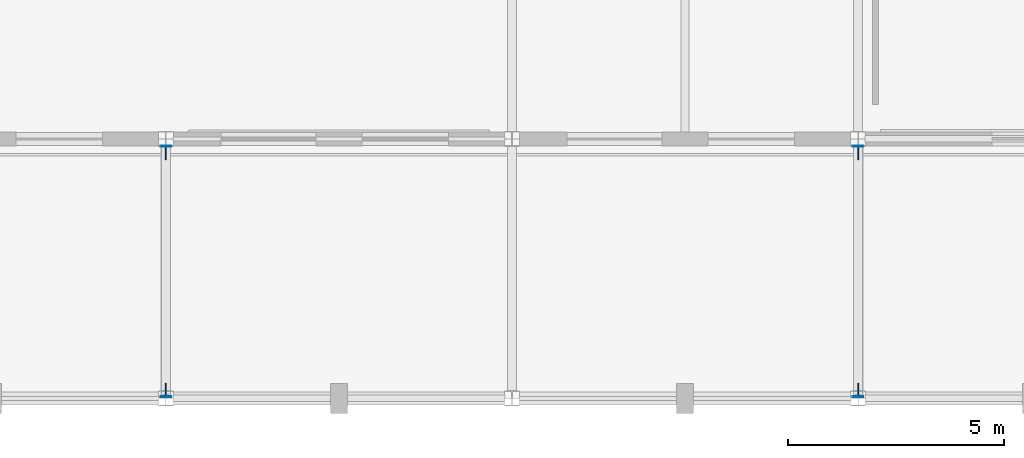
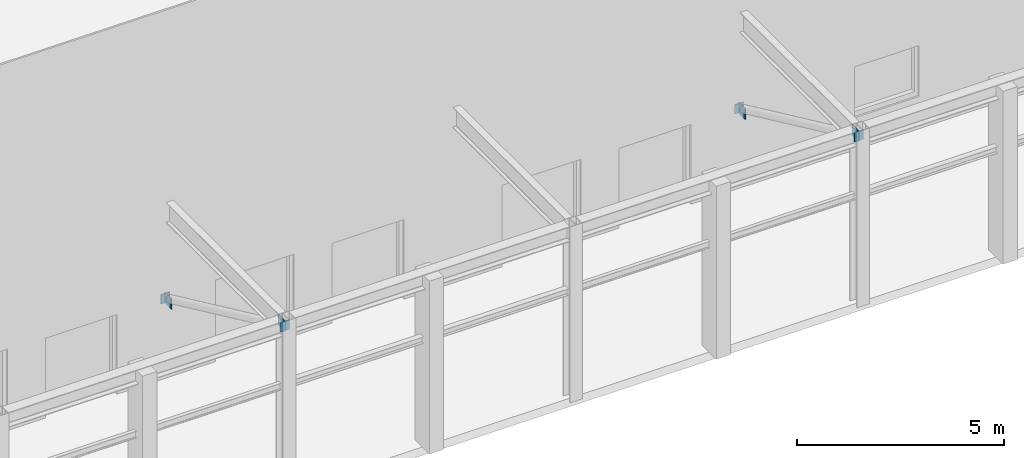
# One storey, part 75 of 119: 8 plates.
"""IFC4 building model written with IfcOpenShell, lengths in metres."""

from ifc_helpers import new_model, si_unit, direction, frame, origin, origin_2d, place, context, subcontext, project, spatial, rectangle, extrude, material, layer, layer_set, type_object, element, save


model = new_model("IFC4")

# Units and contexts
model_context = context("Model", 3, precision=1e-05, world=origin(), true_north=direction((0.0, 1.0)))
body_context = subcontext(model_context, "Body", "Model", "MODEL_VIEW")
ifc_project = project(units=[si_unit("LENGTHUNIT", "METRE"), si_unit("AREAUNIT", "SQUARE_METRE"), si_unit("VOLUMEUNIT", "CUBIC_METRE"), si_unit("PLANEANGLEUNIT", "RADIAN"), si_unit("MASSUNIT", "GRAM", prefix="KILO")], contexts=[model_context])

# Site, building, storey
site_placement = place(None, origin())
site = spatial("IfcSite", under=ifc_project, at=site_placement, CompositionType="ELEMENT")
building_placement = place(site_placement, origin())
building = spatial("IfcBuilding", under=site, at=building_placement, Name="Zhaolan Boulevard Law Courts", CompositionType="ELEMENT")
storey_placement = place(building_placement, origin())
storey = spatial("IfcBuildingStorey", under=building, at=storey_placement, Name="L00", CompositionType="ELEMENT", Elevation=0.0)

# Plates
ifc_material_1 = material(Name="Structural steel Q355B", Category="steel")
ifc_layer_1 = layer(ifc_material_1, 0.02392578125)
ifc_layer_set_1 = layer_set([ifc_layer_1])
plate_type_1 = type_object("IfcPlateType", Name="BRACE GUSSET PLATE 24", PredefinedType="SHEET", material=ifc_layer_set_1)
for number, where, z_axis, x_axis, name in (
    (1, (68.0, 5.679931640625, 2.0400390625), (0.0, 0.0, 1.0), (1.0, 0.0, 0.0), "Canopy Brace End Gusset GP-CT9-1"),
    (2, (68.0, 0.18994140625, 4.7177734375), (0.0, 0.0, 1.0), (1.0, 0.0, 0.0), "Canopy Brace End Gusset GP-CT9-2"),
    (3, (84.0, 5.679931640625, 2.0400390625), (0.0, 0.0, 1.0), (1.0, 0.0, 0.0), "Canopy Brace End Gusset GP-CT11-1"),
    (4, (84.0, 0.18994140625, 4.7177734375), (0.0, 0.0, 1.0), (1.0, 0.0, 0.0), "Canopy Brace End Gusset GP-CT11-2"),
):
    element("IfcPlate", number, at=place(storey_placement, frame(where, z_axis=z_axis, x_axis=x_axis)), inside=storey, type_object=plate_type_1, Name=name, PredefinedType="SHEET", context=body_context, shape_type="SweptSolid", body=[
        extrude(rectangle(XDim=0.02392578125, YDim=0.320068359375, at=origin_2d()), origin(), (0.0, 0.0, 1.0), 0.320068359375),
    ])
ifc_material_2 = material(Name="Structural steel Q355B", Category="steel")
ifc_layer_2 = layer(ifc_material_2, 0.02001953125)
ifc_layer_set_2 = layer_set([ifc_layer_2])
plate_type_2 = type_object("IfcPlateType", Name="END CAP PLATE 20", PredefinedType="SHEET", material=ifc_layer_set_2)
for number, where, z_axis, x_axis, name in (
    (5, (68.0, 5.827392578125, 2.05908203125), (0.0, 0.0, 1.0), (0.0, -1.0, 0.0), "Hollow Section End-Cap Plate ECP-1041"),
    (6, (68.0, 0.042724609375, 4.743896484375), (0.0, 0.0, 1.0), (0.0, -1.0, 0.0), "Hollow Section End-Cap Plate ECP-1042"),
    (7, (84.0, 5.827392578125, 2.05908203125), (0.0, 0.0, 1.0), (0.0, -1.0, 0.0), "Hollow Section End-Cap Plate ECP-1043"),
    (8, (84.0, 0.042724609375, 4.743896484375), (0.0, 0.0, 1.0), (0.0, -1.0, 0.0), "Hollow Section End-Cap Plate ECP-1044"),
):
    element("IfcPlate", number, at=place(storey_placement, frame(where, z_axis=z_axis, x_axis=x_axis)), inside=storey, type_object=plate_type_2, Name=name, PredefinedType="SHEET", context=body_context, shape_type="SweptSolid", body=[
        extrude(rectangle(XDim=0.02001953125, YDim=0.2490234375, at=origin_2d()), origin(), (0.0, 0.0, 1.0), 0.27490234375),
    ])

save(model, "model.ifc")
